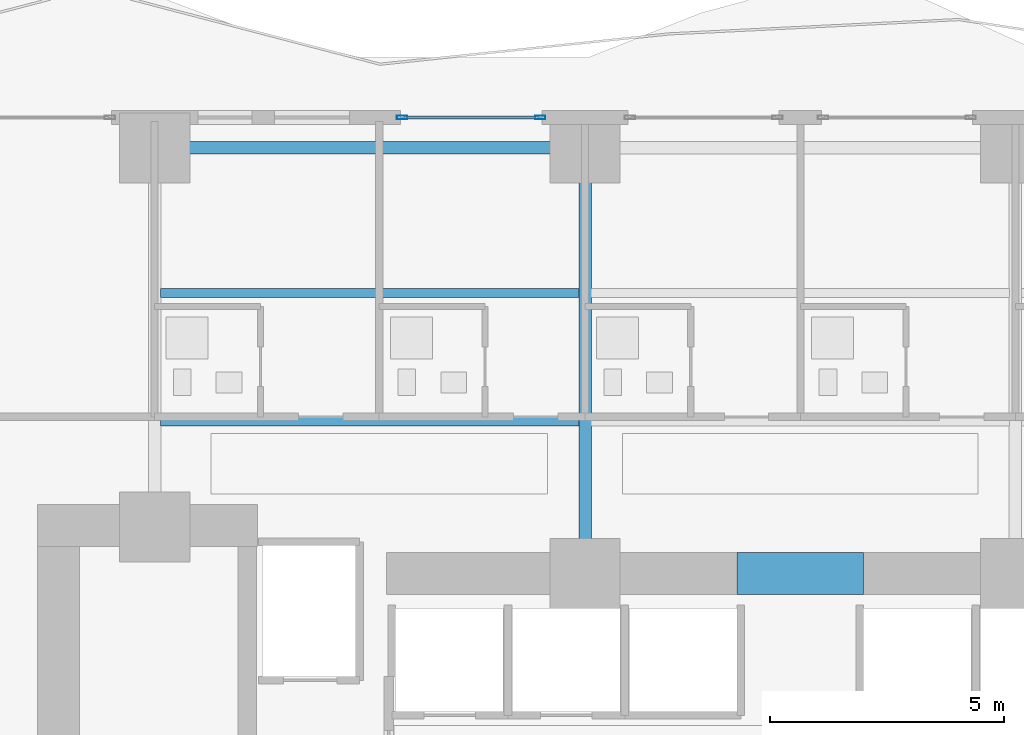
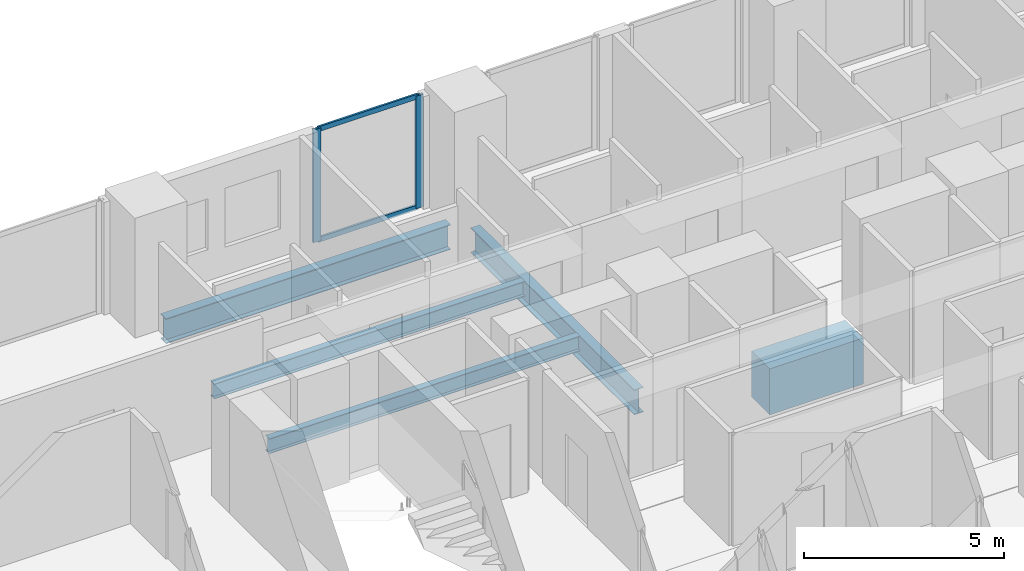
# One storey, part 14 of 29: 5 beams, 4 members, 1 element without a shape of its own.
"""IFC4 building model written with IfcOpenShell, lengths in metres."""

from ifc_helpers import new_model, si_unit, direction, frame, origin, origin_2d, place, context, subcontext, project, spatial, rectangle, hollow_rectangle, i_section, extrude, material, layer, layer_set, material_profile, profile_set, type_object, element, aggregate, save


model = new_model("IFC4")

# Units and contexts
model_context = context("Model", 3, precision=1e-05, world=origin(), true_north=direction((0.0, 1.0)))
body_context = subcontext(model_context, "Body", "Model", "MODEL_VIEW")
ifc_project = project(units=[si_unit("LENGTHUNIT", "METRE"), si_unit("AREAUNIT", "SQUARE_METRE"), si_unit("VOLUMEUNIT", "CUBIC_METRE"), si_unit("PLANEANGLEUNIT", "RADIAN"), si_unit("MASSUNIT", "GRAM", prefix="KILO")], contexts=[model_context])

# Site, building, storey
site_placement = place(None, origin())
site = spatial("IfcSite", under=ifc_project, at=site_placement, CompositionType="ELEMENT")
building_placement = place(site_placement, origin())
building = spatial("IfcBuilding", under=site, at=building_placement, Name="Zuhayl Quay Hotel", CompositionType="ELEMENT")
storey_placement = place(building_placement, frame((0.0, 0.0, 67.75)))
storey = spatial("IfcBuildingStorey", under=building, at=storey_placement, Name="L16", CompositionType="ELEMENT", Elevation=67.75)

# Beams
ifc_material_1 = material(Name="Steel ASTM A992 Grade 50", Category="steel")
ifc_material_profile_1 = material_profile(ifc_material_1, i_section(OverallWidth=0.26708984375, OverallDepth=0.761962890625, WebThickness=0.014404296875, FlangeThickness=0.021484375, at=origin_2d()), Name="W30X116")
ifc_profile_set_1 = profile_set([ifc_material_profile_1], Name="Steel ASTM A992 Grade 50")
beam_type_1 = type_object("IfcBeamType", Name="BM_B1_W30X116", PredefinedType="BEAM", material=ifc_profile_set_1)
beam_1_placement = place(storey_placement, frame((-5.10009765625, 22.449951171875, -0.60107421875), z_axis=(-1.0, 0.0, 0.0), x_axis=(0.0, -1.0, 0.0)))
element("IfcBeam", 1, at=beam_1_placement, inside=storey, type_object=beam_type_1, Name="L16 Floor Beam RG_L16_09", PredefinedType="BEAM", context=body_context, shape_type="SweptSolid", body=[
    extrude(i_section(OverallWidth=0.26708984375, OverallDepth=0.761962890625, WebThickness=0.014404296875, FlangeThickness=0.021484375, at=origin_2d()), origin(), (0.0, 0.0, 1.0), 8.199951171875),
])
beam_2_placement = place(storey_placement, frame((-4.60009765625, 13.800048828125, -0.60107421875), z_axis=(0.0, 1.0, 0.0), x_axis=(-1.0, 0.0, 0.0)))
element("IfcBeam", 2, at=beam_2_placement, inside=storey, type_object=beam_type_1, Name="L16 Floor Beam FG_N_L16_2", PredefinedType="BEAM", context=body_context, shape_type="SweptSolid", body=[
    extrude(i_section(OverallWidth=0.26708984375, OverallDepth=0.761962890625, WebThickness=0.014404296875, FlangeThickness=0.021484375, at=origin_2d()), origin(), (0.0, 0.0, 1.0), 8.14990234375),
])
ifc_material_2 = material(Name="Concrete C60/75", Category="concrete")
ifc_material_profile_2 = material_profile(ifc_material_2, rectangle(XDim=0.89990234375, YDim=1.39990234375, at=origin_2d()), Name="RC900X1400")
ifc_profile_set_2 = profile_set([ifc_material_profile_2], Name="Concrete C60/75")
beam_type_2 = type_object("IfcBeamType", Name="BM_CB1_RC900", PredefinedType="T_BEAM", material=ifc_profile_set_2)
beam_3_placement = place(storey_placement, frame((-1.35009765625, 13.35009765625, -0.919921875), z_axis=(1.0, 0.0, 0.0), x_axis=(0.0, 1.0, 0.0)))
element("IfcBeam", 3, at=beam_3_placement, inside=storey, type_object=beam_type_2, Name="L16 Core Coupling Beam North", PredefinedType="T_BEAM", context=body_context, shape_type="SweptSolid", body=[
    extrude(rectangle(XDim=0.89990234375, YDim=1.39990234375, at=origin_2d()), origin(), (0.0, 0.0, 1.0), 2.7001953125),
])
ifc_material_profile_3 = material_profile(ifc_material_1, i_section(OverallWidth=0.18994140625, OverallDepth=0.45703125, WebThickness=0.009033203125, FlangeThickness=0.014404296875, at=origin_2d()), Name="W18X50")
ifc_profile_set_3 = profile_set([ifc_material_profile_3], Name="Steel ASTM A992 Grade 50")
beam_type_3 = type_object("IfcBeamType", Name="BM_J2_W18X50", PredefinedType="JOIST", material=ifc_profile_set_3)
for number, where, z_axis, x_axis, name in (
    (4, (-13.674560546875, 16.60009765625, -0.448486328125), (1.0, 0.0, 0.0), (0.0, 1.0, 0.0), "L16 Floor Beam FJ_L16_1_1"),
    (5, (-13.674560546875, 19.35009765625, -0.448486328125), (1.0, 0.0, 0.0), (0.0, 1.0, 0.0), "L16 Floor Beam FJ_L16_2_1"),
):
    element("IfcBeam", number, at=place(storey_placement, frame(where, z_axis=z_axis, x_axis=x_axis)), inside=storey, type_object=beam_type_3, Name=name, PredefinedType="JOIST", context=body_context, shape_type="SweptSolid", body=[
        extrude(i_section(OverallWidth=0.18994140625, OverallDepth=0.45703125, WebThickness=0.009033203125, FlangeThickness=0.014404296875, at=origin_2d()), origin(), (0.0, 0.0, 1.0), 8.948974609375),
    ])

# Curtain wall, members
ifc_material_3 = material(Name="Anodised Aluminium 6063-T6", Category="aluminium")
ifc_layer = layer(ifc_material_3, 0.18994140625, Name="Anodised Aluminium 6063-T6", Category="aluminium")
ifc_layer_set = layer_set([ifc_layer], Name="Anodised Aluminium 6063-T6")
curtain_wall_type = type_object("IfcCurtainWallType", Name="CW_SYS_Z1", PredefinedType="USERDEFINED", material=ifc_layer_set)
curtain_wall_placement = place(storey_placement, origin())
curtain_wall = element("IfcCurtainWall", 6, at=curtain_wall_placement, inside=storey, type_object=curtain_wall_type, Name="L16 Curtain Wall ENV_L16_N_CW2", ObjectType="UNITISED CURTAIN WALL", PredefinedType="USERDEFINED")
ifc_material_4 = material(Name="Black-anodised aluminium 6063-T6", Category="aluminium")
ifc_material_profile_4 = material_profile(ifc_material_4, hollow_rectangle(XDim=0.074951171875, YDim=0.219970703125, WallThickness=0.00390625, at=origin_2d()), Name="ALU220X75")
ifc_profile_set_4 = profile_set([ifc_material_profile_4], Name="Black-anodised aluminium 6063-T6")
member_type_1 = type_object("IfcMemberType", Name="MB_CW_MUL_220", PredefinedType="MULLION", material=ifc_profile_set_4)
member_1_placement = place(storey_placement, frame((-8.512451171875, 23.10009765625, 0.0), z_axis=(0.0, 0.0, 1.0), x_axis=(0.0, 1.0, 0.0)))
member_1 = element("IfcMember", 7, at=member_1_placement, type_object=member_type_1, Name="CW-Z1 mullion 1", PredefinedType="MULLION", context=body_context, shape_type="SweptSolid", body=[
    extrude(hollow_rectangle(XDim=0.074951171875, YDim=0.219970703125, WallThickness=0.00390625, at=origin_2d()), origin(), (0.0, 0.0, 1.0), 3.429931640625),
])
member_2_placement = place(storey_placement, frame((-5.5576171875, 23.10009765625, 0.0), z_axis=(0.0, 0.0, 1.0), x_axis=(0.0, 1.0, 0.0)))
member_2 = element("IfcMember", 8, at=member_2_placement, type_object=member_type_1, Name="CW-Z1 mullion 2", PredefinedType="MULLION", context=body_context, shape_type="SweptSolid", body=[
    extrude(hollow_rectangle(XDim=0.074951171875, YDim=0.219970703125, WallThickness=0.00390625, at=origin_2d()), origin(), (0.0, 0.0, 1.0), 3.429931640625),
])
ifc_material_profile_5 = material_profile(ifc_material_4, hollow_rectangle(XDim=0.06005859375, YDim=0.14990234375, WallThickness=0.00341796875, at=origin_2d()), Name="ALU150X60")
ifc_profile_set_5 = profile_set([ifc_material_profile_5], Name="Black-anodised aluminium 6063-T6")
member_type_2 = type_object("IfcMemberType", Name="MB_CW_TRN_150", PredefinedType="USERDEFINED", material=ifc_profile_set_5)
member_3_placement = place(storey_placement, frame((-8.47509765625, 23.10009765625, 0.030029296875), z_axis=(1.0, 0.0, 0.0), x_axis=(0.0, 1.0, 0.0)))
member_3 = element("IfcMember", 9, at=member_3_placement, type_object=member_type_2, Name="CW-Z1 transom 1.1", ObjectType="TRANSOM", PredefinedType="USERDEFINED", context=body_context, shape_type="SweptSolid", body=[
    extrude(hollow_rectangle(XDim=0.06005859375, YDim=0.14990234375, WallThickness=0.00341796875, at=origin_2d()), origin(), (0.0, 0.0, 1.0), 2.880126953125),
])
member_4_placement = place(storey_placement, frame((-8.47509765625, 23.10009765625, 3.39990234375), z_axis=(1.0, 0.0, 0.0), x_axis=(0.0, 1.0, 0.0)))
member_4 = element("IfcMember", 10, at=member_4_placement, type_object=member_type_2, Name="CW-Z1 transom 1.2", ObjectType="TRANSOM", PredefinedType="USERDEFINED", context=body_context, shape_type="SweptSolid", body=[
    extrude(hollow_rectangle(XDim=0.06005859375, YDim=0.14990234375, WallThickness=0.00341796875, at=origin_2d()), origin(), (0.0, 0.0, 1.0), 2.880126953125),
])
aggregate(curtain_wall, [member_1, member_2, member_3, member_4])

save(model, "model.ifc")
